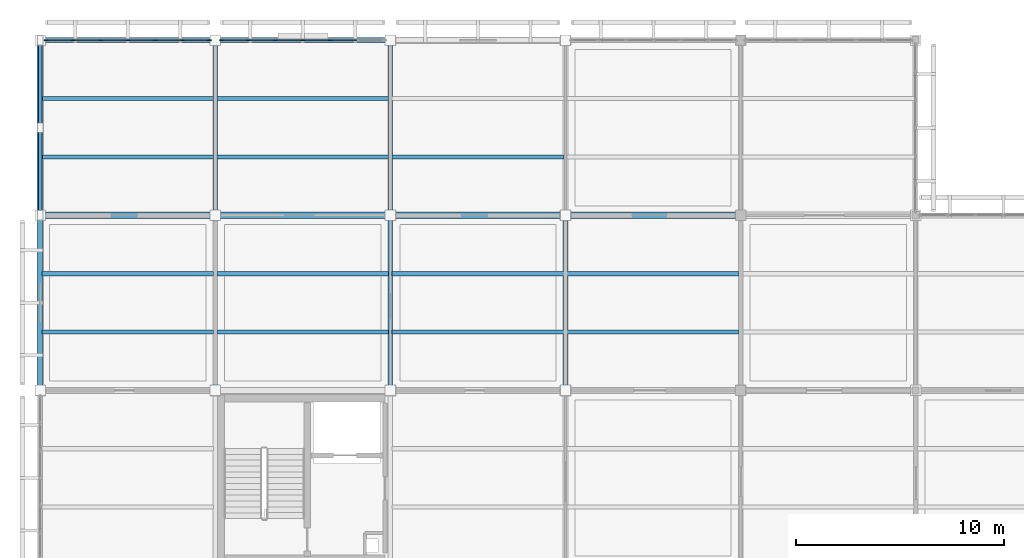
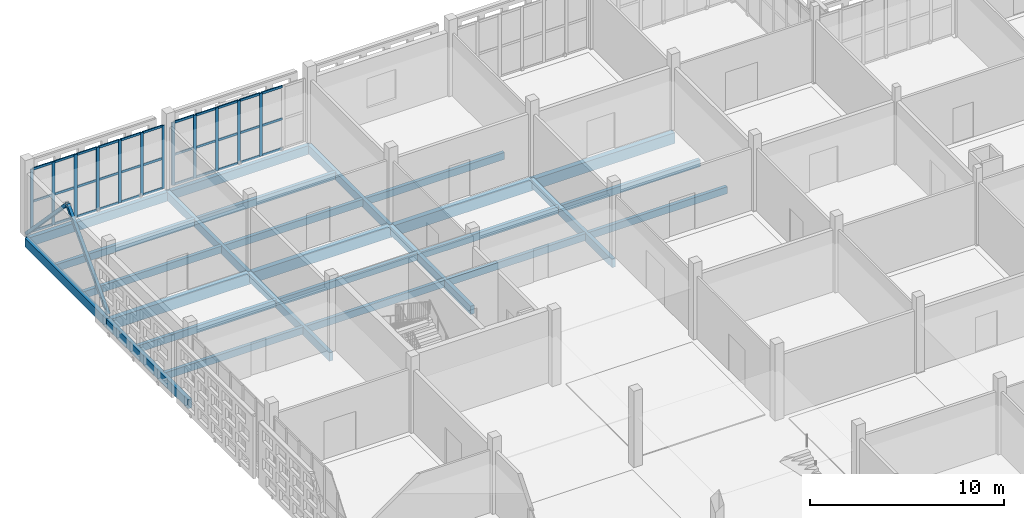
# One storey, part 46 of 203: 47 members, 26 beams, 2 elements without a shape of their own.
"""IFC4 building model written with IfcOpenShell, lengths in metres."""

from ifc_helpers import new_model, si_unit, direction, frame, origin, origin_2d, place, context, subcontext, project, spatial, rectangle, hollow_rectangle, extrude, material, layer, layer_set, material_profile, profile_set, type_object, element, aggregate, save


model = new_model("IFC4")

# Units and contexts
model_context = context("Model", 3, precision=1e-05, world=origin(), true_north=direction((0.0, 1.0)))
body_context = subcontext(model_context, "Body", "Model", "MODEL_VIEW")
ifc_project = project(units=[si_unit("LENGTHUNIT", "METRE"), si_unit("AREAUNIT", "SQUARE_METRE"), si_unit("VOLUMEUNIT", "CUBIC_METRE"), si_unit("PLANEANGLEUNIT", "RADIAN"), si_unit("MASSUNIT", "GRAM", prefix="KILO")], contexts=[model_context])

# Site, building, storey
site_placement = place(None, origin())
site = spatial("IfcSite", under=ifc_project, at=site_placement, CompositionType="ELEMENT")
building_placement = place(site_placement, origin())
building = spatial("IfcBuilding", under=site, at=building_placement, Name="Varnapada Polytechnic", CompositionType="ELEMENT")
storey_placement = place(building_placement, frame((0.0, 0.0, 4.800048828125)))
storey = spatial("IfcBuildingStorey", under=building, at=storey_placement, Name="L01", CompositionType="ELEMENT", Elevation=4.800048828125)

# Beams
ifc_material_1 = material(Name="Glulam GL32h", Category="wood")
ifc_material_profile_1 = material_profile(ifc_material_1, rectangle(XDim=0.199951171875, YDim=0.43994140625, at=origin_2d()), Name="GL 200x440")
ifc_profile_set_1 = profile_set([ifc_material_profile_1], Name="Glulam GL32h")
beam_type_1 = type_object("IfcBeamType", Name="Heavy laboratory glulam joist GJ-03 (GL 200x440)", PredefinedType="JOIST", material=ifc_profile_set_1)
for number, where, z_axis, x_axis, name in (
    (1, (0.080078125, 112.0, -0.469970703125), (1.0, 0.0, 0.0), (0.0, 1.0, 0.0), "L01 floor joist 1/14.1"),
    (2, (0.080078125, 114.800048828125, -0.469970703125), (1.0, 0.0, 0.0), (0.0, 1.0, 0.0), "L01 floor joist 1/14.2"),
    (3, (0.080078125, 120.39990234375, -0.469970703125), (1.0, 0.0, 0.0), (0.0, 1.0, 0.0), "L01 floor joist 1/15.1"),
    (4, (0.080078125, 123.199951171875, -0.469970703125), (1.0, 0.0, 0.0), (0.0, 1.0, 0.0), "L01 floor joist 1/15.2"),
    (5, (8.47998046875, 112.0, -0.469970703125), (1.0, 0.0, 0.0), (0.0, 1.0, 0.0), "L01 floor joist 2/14.1"),
    (6, (8.47998046875, 114.800048828125, -0.469970703125), (1.0, 0.0, 0.0), (0.0, 1.0, 0.0), "L01 floor joist 2/14.2"),
    (7, (8.47998046875, 120.39990234375, -0.469970703125), (1.0, 0.0, 0.0), (0.0, 1.0, 0.0), "L01 floor joist 2/15.1"),
    (8, (8.47998046875, 123.199951171875, -0.469970703125), (1.0, 0.0, 0.0), (0.0, 1.0, 0.0), "L01 floor joist 2/15.2"),
):
    element("IfcBeam", number, at=place(storey_placement, frame(where, z_axis=z_axis, x_axis=x_axis)), inside=storey, type_object=beam_type_1, Name=name, PredefinedType="JOIST", context=body_context, shape_type="SweptSolid", body=[
        extrude(rectangle(XDim=0.199951171875, YDim=0.43994140625, at=origin_2d()), origin(), (0.0, 0.0, 1.0), 8.239990234375),
    ])
for number, where, z_axis, x_axis, name in (
    (9, (16.8798828125, 112.0, -0.469970703125), (1.0, 0.0, 0.0), (0.0, 1.0, 0.0), "L01 floor joist 3/14.1"),
    (10, (16.8798828125, 114.800048828125, -0.469970703125), (1.0, 0.0, 0.0), (0.0, 1.0, 0.0), "L01 floor joist 3/14.2"),
    (11, (16.8798828125, 120.39990234375, -0.469970703125), (1.0, 0.0, 0.0), (0.0, 1.0, 0.0), "L01 floor joist 3/15.1"),
):
    element("IfcBeam", number, at=place(storey_placement, frame(where, z_axis=z_axis, x_axis=x_axis)), inside=storey, type_object=beam_type_1, Name=name, PredefinedType="JOIST", context=body_context, shape_type="SweptSolid", body=[
        extrude(rectangle(XDim=0.199951171875, YDim=0.43994140625, at=origin_2d()), origin(), (0.0, 0.0, 1.0), 8.240234375),
    ])
for number, where, z_axis, x_axis, name in (
    (12, (25.280029296875, 112.0, -0.469970703125), (1.0, 0.0, 0.0), (0.0, 1.0, 0.0), "L01 floor joist 4/14.1"),
    (13, (25.280029296875, 114.800048828125, -0.469970703125), (1.0, 0.0, 0.0), (0.0, 1.0, 0.0), "L01 floor joist 4/14.2"),
):
    element("IfcBeam", number, at=place(storey_placement, frame(where, z_axis=z_axis, x_axis=x_axis)), inside=storey, type_object=beam_type_1, Name=name, PredefinedType="JOIST", context=body_context, shape_type="SweptSolid", body=[
        extrude(rectangle(XDim=0.199951171875, YDim=0.43994140625, at=origin_2d()), origin(), (0.0, 0.0, 1.0), 8.239990234375),
    ])
ifc_material_profile_2 = material_profile(ifc_material_1, rectangle(XDim=0.219970703125, YDim=0.52001953125, at=origin_2d()), Name="GL 220x520")
ifc_profile_set_2 = profile_set([ifc_material_profile_2], Name="Glulam GL32h")
beam_type_2 = type_object("IfcBeamType", Name="Laboratory transverse glulam beam GB-12 (GL 220x520)", PredefinedType="BEAM", material=ifc_profile_set_2)
beam_1_placement = place(storey_placement, frame((8.39990234375, 109.199951171875, -0.510009765625), z_axis=(0.0, 1.0, 0.0), x_axis=(-1.0, 0.0, 0.0)))
element("IfcBeam", 14, at=beam_1_placement, inside=storey, type_object=beam_type_2, Name="L01 beam Y 14-15 at X2", PredefinedType="BEAM", context=body_context, shape_type="SweptSolid", body=[
    extrude(rectangle(XDim=0.219970703125, YDim=0.52001953125, at=origin_2d()), origin(), (0.0, 0.0, 1.0), 8.400146484375),
])
beam_2_placement = place(storey_placement, frame((8.39990234375, 117.60009765625, -0.510009765625), z_axis=(0.0, 1.0, 0.0), x_axis=(-1.0, 0.0, 0.0)))
element("IfcBeam", 15, at=beam_2_placement, inside=storey, type_object=beam_type_2, Name="L01 beam Y 15-16 at X2", PredefinedType="BEAM", context=body_context, shape_type="SweptSolid", body=[
    extrude(rectangle(XDim=0.219970703125, YDim=0.52001953125, at=origin_2d()), origin(), (0.0, 0.0, 1.0), 8.39990234375),
])
beam_3_placement = place(storey_placement, frame((16.800048828125, 109.199951171875, -0.510009765625), z_axis=(0.0, 1.0, 0.0), x_axis=(-1.0, 0.0, 0.0)))
element("IfcBeam", 16, at=beam_3_placement, inside=storey, type_object=beam_type_2, Name="L01 beam Y 14-15 at X3", PredefinedType="BEAM", context=body_context, shape_type="SweptSolid", body=[
    extrude(rectangle(XDim=0.219970703125, YDim=0.52001953125, at=origin_2d()), origin(), (0.0, 0.0, 1.0), 8.400146484375),
])
beam_4_placement = place(storey_placement, frame((16.800048828125, 117.60009765625, -0.510009765625), z_axis=(0.0, 1.0, 0.0), x_axis=(-1.0, 0.0, 0.0)))
element("IfcBeam", 17, at=beam_4_placement, inside=storey, type_object=beam_type_2, Name="L01 beam Y 15-16 at X3", PredefinedType="BEAM", context=body_context, shape_type="SweptSolid", body=[
    extrude(rectangle(XDim=0.219970703125, YDim=0.52001953125, at=origin_2d()), origin(), (0.0, 0.0, 1.0), 8.39990234375),
])
beam_5_placement = place(storey_placement, frame((25.199951171875, 109.199951171875, -0.510009765625), z_axis=(0.0, 1.0, 0.0), x_axis=(-1.0, 0.0, 0.0)))
element("IfcBeam", 18, at=beam_5_placement, inside=storey, type_object=beam_type_2, Name="L01 beam Y 14-15 at X4", PredefinedType="BEAM", context=body_context, shape_type="SweptSolid", body=[
    extrude(rectangle(XDim=0.219970703125, YDim=0.52001953125, at=origin_2d()), origin(), (0.0, 0.0, 1.0), 8.400146484375),
])

# Curtain wall, members
ifc_material_2 = material(Name="Double low-E laminated glass", Category="glass")
ifc_layer = layer(ifc_material_2, 0.179931640625)
ifc_layer_set = layer_set([ifc_layer], Name="Double low-E laminated glass")
curtain_wall_type = type_object("IfcCurtainWallType", Name="Curtain Wall CW-03", PredefinedType="NOTDEFINED", material=ifc_layer_set)
curtain_wall_1_placement = place(storey_placement, origin())
curtain_wall_1 = element("IfcCurtainWall", 19, at=curtain_wall_1_placement, inside=storey, type_object=curtain_wall_type, Name="L01 unitised curtain wall CW-03 (26)", PredefinedType="NOTDEFINED")
ifc_material_3 = material(Name="Anodised aluminium", Category="aluminium")
ifc_material_profile_3 = material_profile(ifc_material_3, rectangle(XDim=0.06494140625, YDim=0.179931640625, at=origin_2d()), Name="ALU M65x180")
ifc_profile_set_3 = profile_set([ifc_material_profile_3], Name="Anodised aluminium")
member_type_1 = type_object("IfcMemberType", Name="Mullion M-02", PredefinedType="MULLION", material=ifc_profile_set_3)
member_1_placement = place(storey_placement, frame((0.29248046875, 126.0, 0.0), z_axis=(0.0, 0.0, 1.0), x_axis=(0.0, 1.0, 0.0)))
member_1 = element("IfcMember", 20, at=member_1_placement, type_object=member_type_1, Name="CW-03 mullion 1", PredefinedType="MULLION", context=body_context, shape_type="SweptSolid", body=[
    extrude(rectangle(XDim=0.06494140625, YDim=0.179931640625, at=origin_2d()), origin(), (0.0, 0.0, 1.0), 3.9599609375),
])
member_2_placement = place(storey_placement, frame((1.5732421875, 126.0, 0.0), z_axis=(0.0, 0.0, 1.0), x_axis=(0.0, 1.0, 0.0)))
member_2 = element("IfcMember", 21, at=member_2_placement, type_object=member_type_1, Name="CW-03 mullion 2", PredefinedType="MULLION", context=body_context, shape_type="SweptSolid", body=[
    extrude(rectangle(XDim=0.06494140625, YDim=0.179931640625, at=origin_2d()), origin(), (0.0, 0.0, 1.0), 3.9599609375),
])
member_3_placement = place(storey_placement, frame((2.88671875, 126.0, 0.0), z_axis=(0.0, 0.0, 1.0), x_axis=(0.0, 1.0, 0.0)))
member_3 = element("IfcMember", 22, at=member_3_placement, type_object=member_type_1, Name="CW-03 mullion 3", PredefinedType="MULLION", context=body_context, shape_type="SweptSolid", body=[
    extrude(rectangle(XDim=0.06494140625, YDim=0.179931640625, at=origin_2d()), origin(), (0.0, 0.0, 1.0), 3.9599609375),
])
member_4_placement = place(storey_placement, frame((4.199951171875, 126.0, 0.0), z_axis=(0.0, 0.0, 1.0), x_axis=(0.0, 1.0, 0.0)))
member_4 = element("IfcMember", 23, at=member_4_placement, type_object=member_type_1, Name="CW-03 mullion 4", PredefinedType="MULLION", context=body_context, shape_type="SweptSolid", body=[
    extrude(rectangle(XDim=0.06494140625, YDim=0.179931640625, at=origin_2d()), origin(), (0.0, 0.0, 1.0), 3.9599609375),
])
member_5_placement = place(storey_placement, frame((5.513427734375, 126.0, 0.0), z_axis=(0.0, 0.0, 1.0), x_axis=(0.0, 1.0, 0.0)))
member_5 = element("IfcMember", 24, at=member_5_placement, type_object=member_type_1, Name="CW-03 mullion 5", PredefinedType="MULLION", context=body_context, shape_type="SweptSolid", body=[
    extrude(rectangle(XDim=0.06494140625, YDim=0.179931640625, at=origin_2d()), origin(), (0.0, 0.0, 1.0), 3.9599609375),
])
member_6_placement = place(storey_placement, frame((6.82666015625, 126.0, 0.0), z_axis=(0.0, 0.0, 1.0), x_axis=(0.0, 1.0, 0.0)))
member_6 = element("IfcMember", 25, at=member_6_placement, type_object=member_type_1, Name="CW-03 mullion 6", PredefinedType="MULLION", context=body_context, shape_type="SweptSolid", body=[
    extrude(rectangle(XDim=0.06494140625, YDim=0.179931640625, at=origin_2d()), origin(), (0.0, 0.0, 1.0), 3.9599609375),
])
member_7_placement = place(storey_placement, frame((8.107421875, 126.0, 0.0), z_axis=(0.0, 0.0, 1.0), x_axis=(0.0, 1.0, 0.0)))
member_7 = element("IfcMember", 26, at=member_7_placement, type_object=member_type_1, Name="CW-03 mullion 7", PredefinedType="MULLION", context=body_context, shape_type="SweptSolid", body=[
    extrude(rectangle(XDim=0.06494140625, YDim=0.179931640625, at=origin_2d()), origin(), (0.0, 0.0, 1.0), 3.9599609375),
])

curtain_wall_2_placement = place(storey_placement, origin())
curtain_wall_2 = element("IfcCurtainWall", 27, at=curtain_wall_2_placement, inside=storey, type_object=curtain_wall_type, Name="L01 unitised curtain wall CW-03 (30)", PredefinedType="NOTDEFINED")
member_8_placement = place(storey_placement, frame((8.6923828125, 126.0, 0.0), z_axis=(0.0, 0.0, 1.0), x_axis=(0.0, 1.0, 0.0)))
member_8 = element("IfcMember", 28, at=member_8_placement, type_object=member_type_1, Name="CW-03 mullion 1", PredefinedType="MULLION", context=body_context, shape_type="SweptSolid", body=[
    extrude(rectangle(XDim=0.06494140625, YDim=0.179931640625, at=origin_2d()), origin(), (0.0, 0.0, 1.0), 3.9599609375),
])
member_9_placement = place(storey_placement, frame((9.973388671875, 126.0, 0.0), z_axis=(0.0, 0.0, 1.0), x_axis=(0.0, 1.0, 0.0)))
member_9 = element("IfcMember", 29, at=member_9_placement, type_object=member_type_1, Name="CW-03 mullion 2", PredefinedType="MULLION", context=body_context, shape_type="SweptSolid", body=[
    extrude(rectangle(XDim=0.06494140625, YDim=0.179931640625, at=origin_2d()), origin(), (0.0, 0.0, 1.0), 3.9599609375),
])
member_10_placement = place(storey_placement, frame((11.28662109375, 126.0, 0.0), z_axis=(0.0, 0.0, 1.0), x_axis=(0.0, 1.0, 0.0)))
member_10 = element("IfcMember", 30, at=member_10_placement, type_object=member_type_1, Name="CW-03 mullion 3", PredefinedType="MULLION", context=body_context, shape_type="SweptSolid", body=[
    extrude(rectangle(XDim=0.06494140625, YDim=0.179931640625, at=origin_2d()), origin(), (0.0, 0.0, 1.0), 3.9599609375),
])
member_11_placement = place(storey_placement, frame((12.60009765625, 126.0, 0.0), z_axis=(0.0, 0.0, 1.0), x_axis=(0.0, 1.0, 0.0)))
member_11 = element("IfcMember", 31, at=member_11_placement, type_object=member_type_1, Name="CW-03 mullion 4", PredefinedType="MULLION", context=body_context, shape_type="SweptSolid", body=[
    extrude(rectangle(XDim=0.06494140625, YDim=0.179931640625, at=origin_2d()), origin(), (0.0, 0.0, 1.0), 3.9599609375),
])
member_12_placement = place(storey_placement, frame((13.913330078125, 126.0, 0.0), z_axis=(0.0, 0.0, 1.0), x_axis=(0.0, 1.0, 0.0)))
member_12 = element("IfcMember", 32, at=member_12_placement, type_object=member_type_1, Name="CW-03 mullion 5", PredefinedType="MULLION", context=body_context, shape_type="SweptSolid", body=[
    extrude(rectangle(XDim=0.06494140625, YDim=0.179931640625, at=origin_2d()), origin(), (0.0, 0.0, 1.0), 3.9599609375),
])

# Beams
ifc_material_profile_4 = material_profile(ifc_material_1, rectangle(XDim=0.239990234375, YDim=0.56005859375, at=origin_2d()), Name="GL 240x560")
ifc_profile_set_4 = profile_set([ifc_material_profile_4], Name="Glulam GL32h")
beam_type_3 = type_object("IfcBeamType", Name="Perimeter glulam spandrel beam SP-02 (GL 240x560)", PredefinedType="SPANDREL", material=ifc_profile_set_4)
beam_6_placement = place(storey_placement, frame((0.0, 126.0, -0.530029296875), z_axis=(1.0, 0.0, 0.0), x_axis=(0.0, 1.0, 0.0)))
element("IfcBeam", 33, at=beam_6_placement, inside=storey, type_object=beam_type_3, Name="L01 beam X 1-2 at Y16", PredefinedType="SPANDREL", context=body_context, shape_type="SweptSolid", body=[
    extrude(rectangle(XDim=0.239990234375, YDim=0.56005859375, at=origin_2d()), origin(), (0.0, 0.0, 1.0), 8.39990234375),
])
for number, where, z_axis, x_axis, name in (
    (34, (8.39990234375, 126.0, -0.530029296875), (1.0, 0.0, 0.0), (0.0, 1.0, 0.0), "L01 beam X 2-3 at Y16"),
    (35, (0.0, 109.199951171875, -0.530029296875), (0.0, 1.0, 0.0), (-1.0, 0.0, 0.0), "L01 beam Y 14-15 at X1"),
):
    element("IfcBeam", number, at=place(storey_placement, frame(where, z_axis=z_axis, x_axis=x_axis)), inside=storey, type_object=beam_type_3, Name=name, PredefinedType="SPANDREL", context=body_context, shape_type="SweptSolid", body=[
        extrude(rectangle(XDim=0.239990234375, YDim=0.56005859375, at=origin_2d()), origin(), (0.0, 0.0, 1.0), 8.400146484375),
    ])
beam_7_placement = place(storey_placement, frame((0.0, 117.60009765625, -0.530029296875), z_axis=(0.0, 1.0, 0.0), x_axis=(-1.0, 0.0, 0.0)))
element("IfcBeam", 36, at=beam_7_placement, inside=storey, type_object=beam_type_3, Name="L01 beam Y 15-16 at X1", PredefinedType="SPANDREL", context=body_context, shape_type="SweptSolid", body=[
    extrude(rectangle(XDim=0.239990234375, YDim=0.56005859375, at=origin_2d()), origin(), (0.0, 0.0, 1.0), 8.39990234375),
])

# Members
ifc_material_4 = material(Name="Steel S355", Category="steel")
ifc_material_profile_5 = material_profile(ifc_material_4, hollow_rectangle(XDim=0.199951171875, YDim=0.199951171875, WallThickness=0.008056640625, InnerFilletRadius=0.008056640625, OuterFilletRadius=0.01611328125, at=origin_2d()), Name="SHS 200x200x8")
ifc_profile_set_5 = profile_set([ifc_material_profile_5], Name="Steel S355")
member_type_2 = type_object("IfcMemberType", Name="Podium lateral chevron brace BR-02 (SHS 200x200x8)", PredefinedType="BRACE", material=ifc_profile_set_5)
for number, where, z_axis, x_axis, name in (
    (37, (0.0, 117.60009765625, 0.0), (0.0, 0.690479565127, 0.723351899245), (-1.0, 0.0, 0.0), "L01 lateral chevron brace 8A"),
    (38, (0.0, 126.0, 0.0), (0.0, -0.690479565127, 0.723351899245), (1.0, 0.0, 0.0), "L01 lateral chevron brace 8B"),
):
    element("IfcMember", number, at=place(storey_placement, frame(where, z_axis=z_axis, x_axis=x_axis)), inside=storey, type_object=member_type_2, Name=name, PredefinedType="BRACE", context=body_context, shape_type="SweptSolid", body=[
        extrude(hollow_rectangle(XDim=0.199951171875, YDim=0.199951171875, WallThickness=0.008056640625, InnerFilletRadius=0.008056640625, OuterFilletRadius=0.01611328125, at=origin_2d()), origin(), (0.0, 0.0, 1.0), 6.082763671875),
    ])

# Member
ifc_material_profile_6 = material_profile(ifc_material_3, rectangle(XDim=0.06494140625, YDim=0.139892578125, at=origin_2d()), Name="ALU T65x140")
ifc_profile_set_6 = profile_set([ifc_material_profile_6], Name="Anodised aluminium")
member_type_3 = type_object("IfcMemberType", Name="Transom T-02", PredefinedType="USERDEFINED", material=ifc_profile_set_6)
member_13_placement = place(storey_placement, frame((0.324951171875, 126.0, 0.032470703125), z_axis=(1.0, 0.0, 0.0), x_axis=(0.0, 1.0, 0.0)))
member_13 = element("IfcMember", 39, at=member_13_placement, type_object=member_type_3, Name="CW-03 transom 1.1", ObjectType="TRANSOM", PredefinedType="USERDEFINED", context=body_context, shape_type="SweptSolid", body=[
    extrude(rectangle(XDim=0.06494140625, YDim=0.139892578125, at=origin_2d()), origin(), (0.0, 0.0, 1.0), 1.2158203125),
])

member_14_placement = place(storey_placement, frame((0.324951171875, 126.0, 1.900634765625), z_axis=(1.0, 0.0, 0.0), x_axis=(0.0, 1.0, 0.0)))
member_14 = element("IfcMember", 40, at=member_14_placement, type_object=member_type_3, Name="CW-03 transom 1.2", ObjectType="TRANSOM", PredefinedType="USERDEFINED", context=body_context, shape_type="SweptSolid", body=[
    extrude(rectangle(XDim=0.06494140625, YDim=0.139892578125, at=origin_2d()), origin(), (0.0, 0.0, 1.0), 1.2158203125),
])

member_15_placement = place(storey_placement, frame((0.324951171875, 126.0, 3.927490234375), z_axis=(1.0, 0.0, 0.0), x_axis=(0.0, 1.0, 0.0)))
member_15 = element("IfcMember", 41, at=member_15_placement, type_object=member_type_3, Name="CW-03 transom 1.3", ObjectType="TRANSOM", PredefinedType="USERDEFINED", context=body_context, shape_type="SweptSolid", body=[
    extrude(rectangle(XDim=0.06494140625, YDim=0.139892578125, at=origin_2d()), origin(), (0.0, 0.0, 1.0), 1.2158203125),
])

member_16_placement = place(storey_placement, frame((1.605712890625, 126.0, 0.032470703125), z_axis=(1.0, 0.0, 0.0), x_axis=(0.0, 1.0, 0.0)))
member_16 = element("IfcMember", 42, at=member_16_placement, type_object=member_type_3, Name="CW-03 transom 2.1", ObjectType="TRANSOM", PredefinedType="USERDEFINED", context=body_context, shape_type="SweptSolid", body=[
    extrude(rectangle(XDim=0.06494140625, YDim=0.139892578125, at=origin_2d()), origin(), (0.0, 0.0, 1.0), 1.24853515625),
])

member_17_placement = place(storey_placement, frame((1.605712890625, 126.0, 1.900634765625), z_axis=(1.0, 0.0, 0.0), x_axis=(0.0, 1.0, 0.0)))
member_17 = element("IfcMember", 43, at=member_17_placement, type_object=member_type_3, Name="CW-03 transom 2.2", ObjectType="TRANSOM", PredefinedType="USERDEFINED", context=body_context, shape_type="SweptSolid", body=[
    extrude(rectangle(XDim=0.06494140625, YDim=0.139892578125, at=origin_2d()), origin(), (0.0, 0.0, 1.0), 1.24853515625),
])

member_18_placement = place(storey_placement, frame((1.605712890625, 126.0, 3.927490234375), z_axis=(1.0, 0.0, 0.0), x_axis=(0.0, 1.0, 0.0)))
member_18 = element("IfcMember", 44, at=member_18_placement, type_object=member_type_3, Name="CW-03 transom 2.3", ObjectType="TRANSOM", PredefinedType="USERDEFINED", context=body_context, shape_type="SweptSolid", body=[
    extrude(rectangle(XDim=0.06494140625, YDim=0.139892578125, at=origin_2d()), origin(), (0.0, 0.0, 1.0), 1.24853515625),
])

member_19_placement = place(storey_placement, frame((2.919189453125, 126.0, 0.032470703125), z_axis=(1.0, 0.0, 0.0), x_axis=(0.0, 1.0, 0.0)))
member_19 = element("IfcMember", 45, at=member_19_placement, type_object=member_type_3, Name="CW-03 transom 3.1", ObjectType="TRANSOM", PredefinedType="USERDEFINED", context=body_context, shape_type="SweptSolid", body=[
    extrude(rectangle(XDim=0.06494140625, YDim=0.139892578125, at=origin_2d()), origin(), (0.0, 0.0, 1.0), 1.248291015625),
])

member_20_placement = place(storey_placement, frame((2.919189453125, 126.0, 1.900634765625), z_axis=(1.0, 0.0, 0.0), x_axis=(0.0, 1.0, 0.0)))
member_20 = element("IfcMember", 46, at=member_20_placement, type_object=member_type_3, Name="CW-03 transom 3.2", ObjectType="TRANSOM", PredefinedType="USERDEFINED", context=body_context, shape_type="SweptSolid", body=[
    extrude(rectangle(XDim=0.06494140625, YDim=0.139892578125, at=origin_2d()), origin(), (0.0, 0.0, 1.0), 1.248291015625),
])

member_21_placement = place(storey_placement, frame((2.919189453125, 126.0, 3.927490234375), z_axis=(1.0, 0.0, 0.0), x_axis=(0.0, 1.0, 0.0)))
member_21 = element("IfcMember", 47, at=member_21_placement, type_object=member_type_3, Name="CW-03 transom 3.3", ObjectType="TRANSOM", PredefinedType="USERDEFINED", context=body_context, shape_type="SweptSolid", body=[
    extrude(rectangle(XDim=0.06494140625, YDim=0.139892578125, at=origin_2d()), origin(), (0.0, 0.0, 1.0), 1.248291015625),
])

member_22_placement = place(storey_placement, frame((4.232421875, 126.0, 0.032470703125), z_axis=(1.0, 0.0, 0.0), x_axis=(0.0, 1.0, 0.0)))
member_22 = element("IfcMember", 48, at=member_22_placement, type_object=member_type_3, Name="CW-03 transom 4.1", ObjectType="TRANSOM", PredefinedType="USERDEFINED", context=body_context, shape_type="SweptSolid", body=[
    extrude(rectangle(XDim=0.06494140625, YDim=0.139892578125, at=origin_2d()), origin(), (0.0, 0.0, 1.0), 1.248291015625),
])

member_23_placement = place(storey_placement, frame((4.232421875, 126.0, 1.900634765625), z_axis=(1.0, 0.0, 0.0), x_axis=(0.0, 1.0, 0.0)))
member_23 = element("IfcMember", 49, at=member_23_placement, type_object=member_type_3, Name="CW-03 transom 4.2", ObjectType="TRANSOM", PredefinedType="USERDEFINED", context=body_context, shape_type="SweptSolid", body=[
    extrude(rectangle(XDim=0.06494140625, YDim=0.139892578125, at=origin_2d()), origin(), (0.0, 0.0, 1.0), 1.248291015625),
])

member_24_placement = place(storey_placement, frame((4.232421875, 126.0, 3.927490234375), z_axis=(1.0, 0.0, 0.0), x_axis=(0.0, 1.0, 0.0)))
member_24 = element("IfcMember", 50, at=member_24_placement, type_object=member_type_3, Name="CW-03 transom 4.3", ObjectType="TRANSOM", PredefinedType="USERDEFINED", context=body_context, shape_type="SweptSolid", body=[
    extrude(rectangle(XDim=0.06494140625, YDim=0.139892578125, at=origin_2d()), origin(), (0.0, 0.0, 1.0), 1.248291015625),
])

member_25_placement = place(storey_placement, frame((5.5458984375, 126.0, 0.032470703125), z_axis=(1.0, 0.0, 0.0), x_axis=(0.0, 1.0, 0.0)))
member_25 = element("IfcMember", 51, at=member_25_placement, type_object=member_type_3, Name="CW-03 transom 5.1", ObjectType="TRANSOM", PredefinedType="USERDEFINED", context=body_context, shape_type="SweptSolid", body=[
    extrude(rectangle(XDim=0.06494140625, YDim=0.139892578125, at=origin_2d()), origin(), (0.0, 0.0, 1.0), 1.248291015625),
])

member_26_placement = place(storey_placement, frame((5.5458984375, 126.0, 1.900634765625), z_axis=(1.0, 0.0, 0.0), x_axis=(0.0, 1.0, 0.0)))
member_26 = element("IfcMember", 52, at=member_26_placement, type_object=member_type_3, Name="CW-03 transom 5.2", ObjectType="TRANSOM", PredefinedType="USERDEFINED", context=body_context, shape_type="SweptSolid", body=[
    extrude(rectangle(XDim=0.06494140625, YDim=0.139892578125, at=origin_2d()), origin(), (0.0, 0.0, 1.0), 1.248291015625),
])

member_27_placement = place(storey_placement, frame((5.5458984375, 126.0, 3.927490234375), z_axis=(1.0, 0.0, 0.0), x_axis=(0.0, 1.0, 0.0)))
member_27 = element("IfcMember", 53, at=member_27_placement, type_object=member_type_3, Name="CW-03 transom 5.3", ObjectType="TRANSOM", PredefinedType="USERDEFINED", context=body_context, shape_type="SweptSolid", body=[
    extrude(rectangle(XDim=0.06494140625, YDim=0.139892578125, at=origin_2d()), origin(), (0.0, 0.0, 1.0), 1.248291015625),
])

member_28_placement = place(storey_placement, frame((6.859130859375, 126.0, 0.032470703125), z_axis=(1.0, 0.0, 0.0), x_axis=(0.0, 1.0, 0.0)))
member_28 = element("IfcMember", 54, at=member_28_placement, type_object=member_type_3, Name="CW-03 transom 6.1", ObjectType="TRANSOM", PredefinedType="USERDEFINED", context=body_context, shape_type="SweptSolid", body=[
    extrude(rectangle(XDim=0.06494140625, YDim=0.139892578125, at=origin_2d()), origin(), (0.0, 0.0, 1.0), 1.2158203125),
])

member_29_placement = place(storey_placement, frame((6.859130859375, 126.0, 1.900634765625), z_axis=(1.0, 0.0, 0.0), x_axis=(0.0, 1.0, 0.0)))
member_29 = element("IfcMember", 55, at=member_29_placement, type_object=member_type_3, Name="CW-03 transom 6.2", ObjectType="TRANSOM", PredefinedType="USERDEFINED", context=body_context, shape_type="SweptSolid", body=[
    extrude(rectangle(XDim=0.06494140625, YDim=0.139892578125, at=origin_2d()), origin(), (0.0, 0.0, 1.0), 1.2158203125),
])

member_30_placement = place(storey_placement, frame((6.859130859375, 126.0, 3.927490234375), z_axis=(1.0, 0.0, 0.0), x_axis=(0.0, 1.0, 0.0)))
member_30 = element("IfcMember", 56, at=member_30_placement, type_object=member_type_3, Name="CW-03 transom 6.3", ObjectType="TRANSOM", PredefinedType="USERDEFINED", context=body_context, shape_type="SweptSolid", body=[
    extrude(rectangle(XDim=0.06494140625, YDim=0.139892578125, at=origin_2d()), origin(), (0.0, 0.0, 1.0), 1.2158203125),
])

aggregate(curtain_wall_1, [member_1, member_2, member_3, member_4, member_5, member_6, member_7, member_13, member_14, member_15, member_16, member_17, member_18, member_19, member_20, member_21, member_22, member_23, member_24, member_25, member_26, member_27, member_28, member_29, member_30])

member_31_placement = place(storey_placement, frame((8.72509765625, 126.0, 0.032470703125), z_axis=(1.0, 0.0, 0.0), x_axis=(0.0, 1.0, 0.0)))
member_31 = element("IfcMember", 57, at=member_31_placement, type_object=member_type_3, Name="CW-03 transom 1.1", ObjectType="TRANSOM", PredefinedType="USERDEFINED", context=body_context, shape_type="SweptSolid", body=[
    extrude(rectangle(XDim=0.06494140625, YDim=0.139892578125, at=origin_2d()), origin(), (0.0, 0.0, 1.0), 1.2158203125),
])

member_32_placement = place(storey_placement, frame((8.72509765625, 126.0, 1.900634765625), z_axis=(1.0, 0.0, 0.0), x_axis=(0.0, 1.0, 0.0)))
member_32 = element("IfcMember", 58, at=member_32_placement, type_object=member_type_3, Name="CW-03 transom 1.2", ObjectType="TRANSOM", PredefinedType="USERDEFINED", context=body_context, shape_type="SweptSolid", body=[
    extrude(rectangle(XDim=0.06494140625, YDim=0.139892578125, at=origin_2d()), origin(), (0.0, 0.0, 1.0), 1.2158203125),
])

member_33_placement = place(storey_placement, frame((8.72509765625, 126.0, 3.927490234375), z_axis=(1.0, 0.0, 0.0), x_axis=(0.0, 1.0, 0.0)))
member_33 = element("IfcMember", 59, at=member_33_placement, type_object=member_type_3, Name="CW-03 transom 1.3", ObjectType="TRANSOM", PredefinedType="USERDEFINED", context=body_context, shape_type="SweptSolid", body=[
    extrude(rectangle(XDim=0.06494140625, YDim=0.139892578125, at=origin_2d()), origin(), (0.0, 0.0, 1.0), 1.2158203125),
])

member_34_placement = place(storey_placement, frame((10.005859375, 126.0, 0.032470703125), z_axis=(1.0, 0.0, 0.0), x_axis=(0.0, 1.0, 0.0)))
member_34 = element("IfcMember", 60, at=member_34_placement, type_object=member_type_3, Name="CW-03 transom 2.1", ObjectType="TRANSOM", PredefinedType="USERDEFINED", context=body_context, shape_type="SweptSolid", body=[
    extrude(rectangle(XDim=0.06494140625, YDim=0.139892578125, at=origin_2d()), origin(), (0.0, 0.0, 1.0), 1.248291015625),
])

member_35_placement = place(storey_placement, frame((10.005859375, 126.0, 1.900634765625), z_axis=(1.0, 0.0, 0.0), x_axis=(0.0, 1.0, 0.0)))
member_35 = element("IfcMember", 61, at=member_35_placement, type_object=member_type_3, Name="CW-03 transom 2.2", ObjectType="TRANSOM", PredefinedType="USERDEFINED", context=body_context, shape_type="SweptSolid", body=[
    extrude(rectangle(XDim=0.06494140625, YDim=0.139892578125, at=origin_2d()), origin(), (0.0, 0.0, 1.0), 1.248291015625),
])

member_36_placement = place(storey_placement, frame((10.005859375, 126.0, 3.927490234375), z_axis=(1.0, 0.0, 0.0), x_axis=(0.0, 1.0, 0.0)))
member_36 = element("IfcMember", 62, at=member_36_placement, type_object=member_type_3, Name="CW-03 transom 2.3", ObjectType="TRANSOM", PredefinedType="USERDEFINED", context=body_context, shape_type="SweptSolid", body=[
    extrude(rectangle(XDim=0.06494140625, YDim=0.139892578125, at=origin_2d()), origin(), (0.0, 0.0, 1.0), 1.248291015625),
])

member_37_placement = place(storey_placement, frame((11.319091796875, 126.0, 0.032470703125), z_axis=(1.0, 0.0, 0.0), x_axis=(0.0, 1.0, 0.0)))
member_37 = element("IfcMember", 63, at=member_37_placement, type_object=member_type_3, Name="CW-03 transom 3.1", ObjectType="TRANSOM", PredefinedType="USERDEFINED", context=body_context, shape_type="SweptSolid", body=[
    extrude(rectangle(XDim=0.06494140625, YDim=0.139892578125, at=origin_2d()), origin(), (0.0, 0.0, 1.0), 1.248291015625),
])

member_38_placement = place(storey_placement, frame((11.319091796875, 126.0, 1.900634765625), z_axis=(1.0, 0.0, 0.0), x_axis=(0.0, 1.0, 0.0)))
member_38 = element("IfcMember", 64, at=member_38_placement, type_object=member_type_3, Name="CW-03 transom 3.2", ObjectType="TRANSOM", PredefinedType="USERDEFINED", context=body_context, shape_type="SweptSolid", body=[
    extrude(rectangle(XDim=0.06494140625, YDim=0.139892578125, at=origin_2d()), origin(), (0.0, 0.0, 1.0), 1.248291015625),
])

member_39_placement = place(storey_placement, frame((11.319091796875, 126.0, 3.927490234375), z_axis=(1.0, 0.0, 0.0), x_axis=(0.0, 1.0, 0.0)))
member_39 = element("IfcMember", 65, at=member_39_placement, type_object=member_type_3, Name="CW-03 transom 3.3", ObjectType="TRANSOM", PredefinedType="USERDEFINED", context=body_context, shape_type="SweptSolid", body=[
    extrude(rectangle(XDim=0.06494140625, YDim=0.139892578125, at=origin_2d()), origin(), (0.0, 0.0, 1.0), 1.248291015625),
])

member_40_placement = place(storey_placement, frame((12.632568359375, 126.0, 0.032470703125), z_axis=(1.0, 0.0, 0.0), x_axis=(0.0, 1.0, 0.0)))
member_40 = element("IfcMember", 66, at=member_40_placement, type_object=member_type_3, Name="CW-03 transom 4.1", ObjectType="TRANSOM", PredefinedType="USERDEFINED", context=body_context, shape_type="SweptSolid", body=[
    extrude(rectangle(XDim=0.06494140625, YDim=0.139892578125, at=origin_2d()), origin(), (0.0, 0.0, 1.0), 1.248291015625),
])

member_41_placement = place(storey_placement, frame((12.632568359375, 126.0, 1.900634765625), z_axis=(1.0, 0.0, 0.0), x_axis=(0.0, 1.0, 0.0)))
member_41 = element("IfcMember", 67, at=member_41_placement, type_object=member_type_3, Name="CW-03 transom 4.2", ObjectType="TRANSOM", PredefinedType="USERDEFINED", context=body_context, shape_type="SweptSolid", body=[
    extrude(rectangle(XDim=0.06494140625, YDim=0.139892578125, at=origin_2d()), origin(), (0.0, 0.0, 1.0), 1.248291015625),
])

member_42_placement = place(storey_placement, frame((12.632568359375, 126.0, 3.927490234375), z_axis=(1.0, 0.0, 0.0), x_axis=(0.0, 1.0, 0.0)))
member_42 = element("IfcMember", 68, at=member_42_placement, type_object=member_type_3, Name="CW-03 transom 4.3", ObjectType="TRANSOM", PredefinedType="USERDEFINED", context=body_context, shape_type="SweptSolid", body=[
    extrude(rectangle(XDim=0.06494140625, YDim=0.139892578125, at=origin_2d()), origin(), (0.0, 0.0, 1.0), 1.248291015625),
])

member_43_placement = place(storey_placement, frame((13.94580078125, 126.0, 0.032470703125), z_axis=(1.0, 0.0, 0.0), x_axis=(0.0, 1.0, 0.0)))
member_43 = element("IfcMember", 69, at=member_43_placement, type_object=member_type_3, Name="CW-03 transom 5.1", ObjectType="TRANSOM", PredefinedType="USERDEFINED", context=body_context, shape_type="SweptSolid", body=[
    extrude(rectangle(XDim=0.06494140625, YDim=0.139892578125, at=origin_2d()), origin(), (0.0, 0.0, 1.0), 1.248291015625),
])

member_44_placement = place(storey_placement, frame((13.94580078125, 126.0, 1.900634765625), z_axis=(1.0, 0.0, 0.0), x_axis=(0.0, 1.0, 0.0)))
member_44 = element("IfcMember", 70, at=member_44_placement, type_object=member_type_3, Name="CW-03 transom 5.2", ObjectType="TRANSOM", PredefinedType="USERDEFINED", context=body_context, shape_type="SweptSolid", body=[
    extrude(rectangle(XDim=0.06494140625, YDim=0.139892578125, at=origin_2d()), origin(), (0.0, 0.0, 1.0), 1.248291015625),
])

member_45_placement = place(storey_placement, frame((13.94580078125, 126.0, 3.927490234375), z_axis=(1.0, 0.0, 0.0), x_axis=(0.0, 1.0, 0.0)))
member_45 = element("IfcMember", 71, at=member_45_placement, type_object=member_type_3, Name="CW-03 transom 5.3", ObjectType="TRANSOM", PredefinedType="USERDEFINED", context=body_context, shape_type="SweptSolid", body=[
    extrude(rectangle(XDim=0.06494140625, YDim=0.139892578125, at=origin_2d()), origin(), (0.0, 0.0, 1.0), 1.248291015625),
])

aggregate(curtain_wall_2, [member_8, member_9, member_10, member_11, member_12, member_31, member_32, member_33, member_34, member_35, member_36, member_37, member_38, member_39, member_40, member_41, member_42, member_43, member_44, member_45])

# Beams
ifc_material_profile_7 = material_profile(ifc_material_1, rectangle(XDim=0.300048828125, YDim=0.679931640625, at=origin_2d()), Name="GL 300x680")
ifc_profile_set_7 = profile_set([ifc_material_profile_7], Name="Glulam GL32h")
beam_type_4 = type_object("IfcBeamType", Name="Wet laboratory glulam girder GG-04 (GL 300x680)", PredefinedType="BEAM", material=ifc_profile_set_7)
beam_8_placement = place(storey_placement, frame((0.0, 117.60009765625, -0.590087890625), z_axis=(1.0, 0.0, 0.0), x_axis=(0.0, 1.0, 0.0)))
element("IfcBeam", 72, at=beam_8_placement, inside=storey, type_object=beam_type_4, Name="L01 beam X 1-2 at Y15", PredefinedType="BEAM", context=body_context, shape_type="SweptSolid", body=[
    extrude(rectangle(XDim=0.300048828125, YDim=0.679931640625, at=origin_2d()), origin(), (0.0, 0.0, 1.0), 8.39990234375),
])
beam_9_placement = place(storey_placement, frame((8.39990234375, 117.60009765625, -0.590087890625), z_axis=(1.0, 0.0, 0.0), x_axis=(0.0, 1.0, 0.0)))
element("IfcBeam", 73, at=beam_9_placement, inside=storey, type_object=beam_type_4, Name="L01 beam X 2-3 at Y15", PredefinedType="BEAM", context=body_context, shape_type="SweptSolid", body=[
    extrude(rectangle(XDim=0.300048828125, YDim=0.679931640625, at=origin_2d()), origin(), (0.0, 0.0, 1.0), 8.400146484375),
])
beam_10_placement = place(storey_placement, frame((16.800048828125, 117.60009765625, -0.590087890625), z_axis=(1.0, 0.0, 0.0), x_axis=(0.0, 1.0, 0.0)))
element("IfcBeam", 74, at=beam_10_placement, inside=storey, type_object=beam_type_4, Name="L01 beam X 3-4 at Y15", PredefinedType="BEAM", context=body_context, shape_type="SweptSolid", body=[
    extrude(rectangle(XDim=0.300048828125, YDim=0.679931640625, at=origin_2d()), origin(), (0.0, 0.0, 1.0), 8.39990234375),
])
beam_11_placement = place(storey_placement, frame((25.199951171875, 117.60009765625, -0.590087890625), z_axis=(1.0, 0.0, 0.0), x_axis=(0.0, 1.0, 0.0)))
element("IfcBeam", 75, at=beam_11_placement, inside=storey, type_object=beam_type_4, Name="L01 beam X 4-5 at Y15", PredefinedType="BEAM", context=body_context, shape_type="SweptSolid", body=[
    extrude(rectangle(XDim=0.300048828125, YDim=0.679931640625, at=origin_2d()), origin(), (0.0, 0.0, 1.0), 8.400146484375),
])

save(model, "model.ifc")
